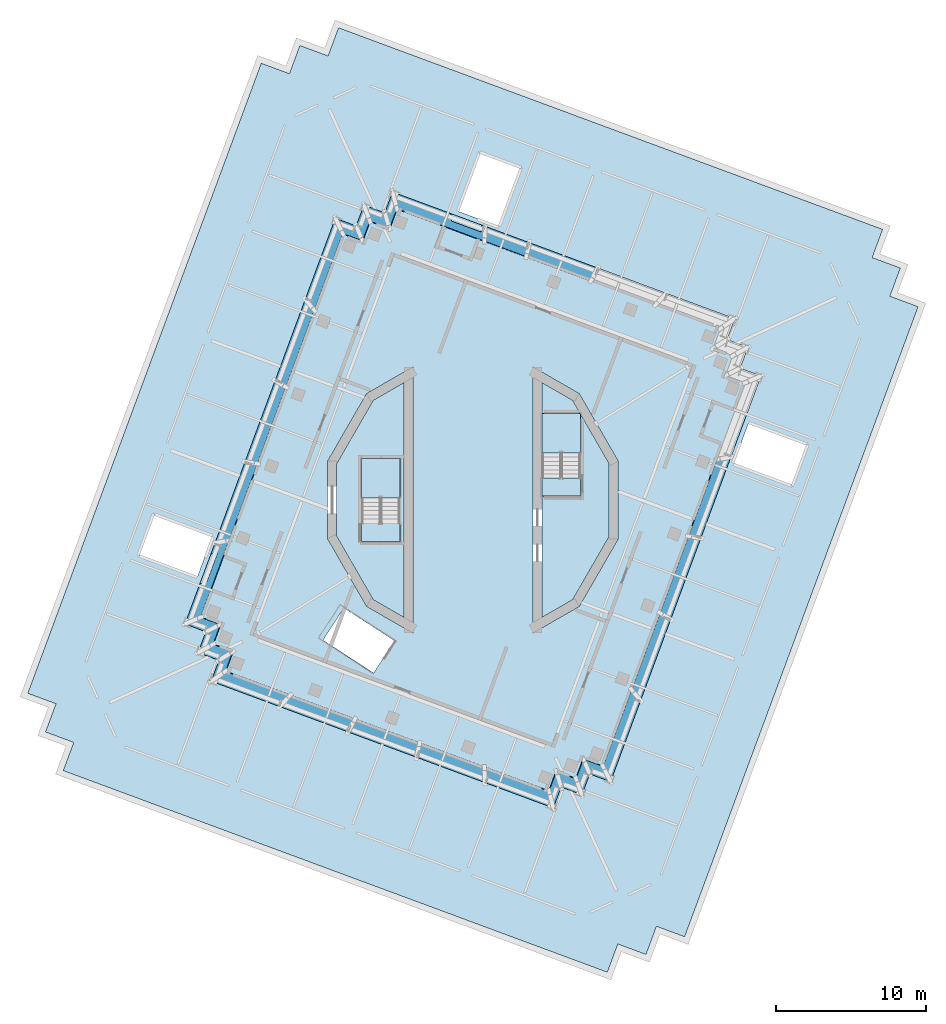
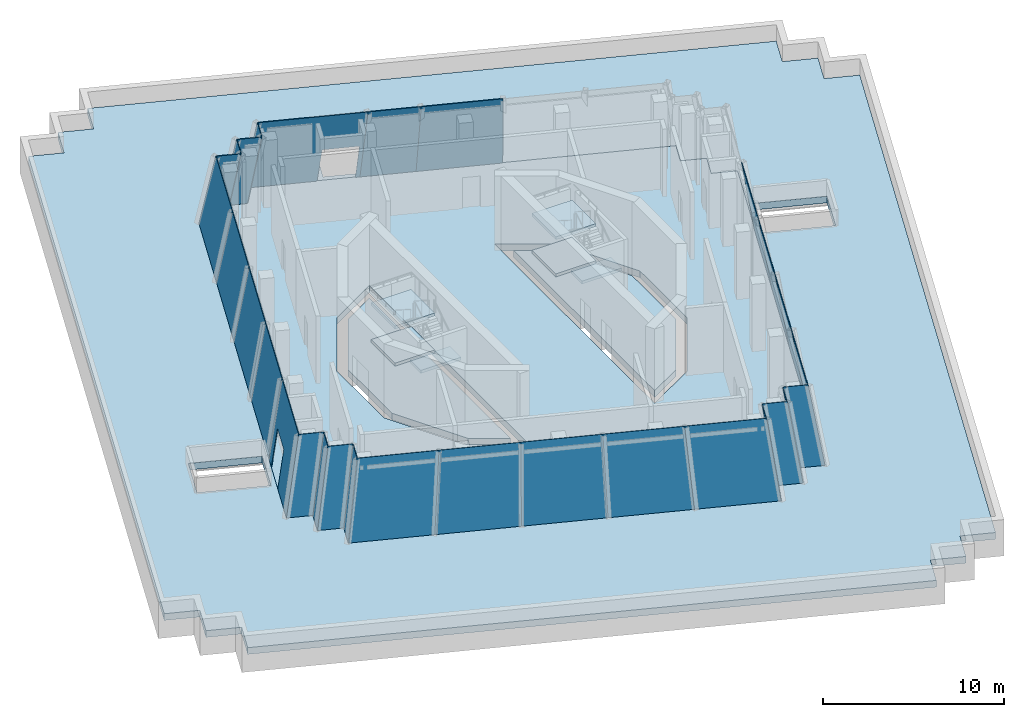
# One storey, part 4 of 12: 29 plates, 10 slabs, 31 elements without a shape of their own.
"""IFC4 building model written with IfcOpenShell, lengths in metres."""

from ifc_helpers import new_model, si_unit, direction, frame, origin, place, context, subcontext, project, spatial, polyline, outline, extrude, material, layer, layer_set, type_object, element, aggregate, save


model = new_model("IFC4")

# Units and contexts
model_context = context("Model", 3, precision=1e-05, world=origin(), true_north=direction((0.0, 1.0)))
body_context = subcontext(model_context, "Body", "Model", "MODEL_VIEW")
ifc_project = project(units=[si_unit("LENGTHUNIT", "METRE"), si_unit("AREAUNIT", "SQUARE_METRE"), si_unit("VOLUMEUNIT", "CUBIC_METRE"), si_unit("PLANEANGLEUNIT", "RADIAN"), si_unit("MASSUNIT", "GRAM", prefix="KILO")], contexts=[model_context])

# Site, building, storey
site_placement = place(None, origin())
site = spatial("IfcSite", under=ifc_project, at=site_placement, CompositionType="ELEMENT")
building_placement = place(site_placement, origin())
building = spatial("IfcBuilding", under=site, at=building_placement, Name="Cantera Rosa Tower", CompositionType="ELEMENT")
storey_placement = place(building_placement, frame((0.0, 0.0, 345.699951171875)))
storey = spatial("IfcBuildingStorey", under=building, at=storey_placement, Name="L78", CompositionType="ELEMENT", Elevation=345.699951171875)

# Curtain wall, plate
ifc_material_1 = material(Name="Aluminium frame with clear glass", Category="aluminium")
curtain_wall_type = type_object("IfcCurtainWallType", Name="CW4 CROWN GLAZING", PredefinedType="NOTDEFINED", material=ifc_material_1)
curtain_wall_1_placement = place(storey_placement, origin())
curtain_wall_1 = element("IfcCurtainWall", 1, at=curtain_wall_1_placement, inside=storey, type_object=curtain_wall_type, Name="CW4 L78-03", PredefinedType="NOTDEFINED")
ifc_material_2 = material(Name="Aluminium frame with clear glass", Category="aluminium")
ifc_layer_1 = layer(ifc_material_2, 0.0400390625)
ifc_layer_set_1 = layer_set([ifc_layer_1], Name="CW-PANEL CROWN 40")
plate_type = type_object("IfcPlateType", Name="CW-PANEL CROWN 40", PredefinedType="CURTAIN_PANEL", material=ifc_layer_set_1)
plate_1_placement = place(storey_placement, frame((8.305908203125, 15.42822265625, 0.0), z_axis=(0.341521188192, 0.921611881739, 0.184376835459), x_axis=(-0.937688102978, 0.34747808784, 2.281658e-06)))
plate_1 = element("IfcPlate", 2, at=plate_1_placement, type_object=plate_type, Name="CROWN GLAZING L78-03", PredefinedType="CURTAIN_PANEL", context=body_context, shape_type="SweptSolid", body=[
    extrude(outline(polyline([(0.0, 0.0), (4.8544728488537885, -5.551115123125783e-17), (4.723289027343986, 5.087206186000463), (0.1312182621244275, 5.087228115750634), (0.0, 0.0)])), origin(), (0.0, 0.0, -1.0), 0.0400390625),
])
aggregate(curtain_wall_1, [plate_1])

curtain_wall_2_placement = place(storey_placement, origin())
curtain_wall_2 = element("IfcCurtainWall", 3, at=curtain_wall_2_placement, inside=storey, type_object=curtain_wall_type, Name="CW4 L78-04", PredefinedType="NOTDEFINED")
plate_2_placement = place(storey_placement, frame((3.75390625, 17.114990234375, 0.0), z_axis=(0.341541678657, 0.921602371115, 0.184386418414), x_axis=(-0.937679562733, 0.347501133221, -6.597253e-06)))
plate_2 = element("IfcPlate", 4, at=plate_2_placement, type_object=plate_type, Name="CROWN GLAZING L78-04", PredefinedType="CURTAIN_PANEL", context=body_context, shape_type="SweptSolid", body=[
    extrude(outline(polyline([(0.0, 0.0), (3.14787560825237, 2.7755575615628914e-17), (2.8465199640344347, 5.0872455628957685), (-0.13125126681628493, 5.087204445448396), (0.0, 0.0)])), origin(), (0.0, 0.0, -1.0), 0.0400390625),
])
aggregate(curtain_wall_2, [plate_2])

curtain_wall_3_placement = place(storey_placement, origin())
curtain_wall_3 = element("IfcCurtainWall", 5, at=curtain_wall_3_placement, inside=storey, type_object=curtain_wall_type, Name="CW4 L78-05", PredefinedType="NOTDEFINED")
plate_3_placement = place(storey_placement, frame((0.80224609375, 18.208984375, 0.0), z_axis=(0.34151150555, 0.921610460325, 0.184401873626), x_axis=(-0.937698961077, 0.347448763728, 0.0001223896)))
plate_3 = element("IfcPlate", 6, at=plate_3_placement, type_object=plate_type, Name="CROWN GLAZING L78-05", PredefinedType="CURTAIN_PANEL", context=body_context, shape_type="SweptSolid", body=[
    extrude(outline(polyline([(0.0, 0.0), (0.24988655121026612, -1.734723475976807e-18), (0.09924261861630893, 2.4420248544270833), (2.1933972838054094, 2.441739173197979), (2.3999625369477173, -0.0002643486046061405), (6.560925946256958, -0.0008284535720060604), (5.905627100567783, 5.086515110806519), (-0.30065831574060037, 5.087286823995839), (0.0, 0.0)])), origin(), (0.0, 0.0, -1.0), 0.0400390625),
])
aggregate(curtain_wall_3, [plate_3])

curtain_wall_4_placement = place(storey_placement, origin())
curtain_wall_4 = element("IfcCurtainWall", 7, at=curtain_wall_4_placement, inside=storey, type_object=curtain_wall_type, Name="CW4 L78-06", PredefinedType="NOTDEFINED")
plate_4_placement = place(storey_placement, frame((-5.349853515625, 20.48876953125, 0.0), z_axis=(-0.929726260892, 0.344508040444, 0.130089545613), x_axis=(-0.347461743846, -0.937694159355, -8.690422e-06)))
plate_4 = element("IfcPlate", 8, at=plate_4_placement, type_object=plate_type, Name="CROWN GLAZING L78-06", PredefinedType="CURTAIN_PANEL", context=body_context, shape_type="SweptSolid", body=[
    extrude(outline(polyline([(0.0, 0.0), (1.480198532767373, 0.0), (2.338103272713795, 5.04287340089059), (0.9381703409287333, 5.042848156815825), (0.0, 0.0)])), origin(), (0.0, 0.0, -1.0), 0.0400390625),
])
aggregate(curtain_wall_4, [plate_4])

curtain_wall_5_placement = place(storey_placement, origin())
curtain_wall_5 = element("IfcCurtainWall", 9, at=curtain_wall_5_placement, inside=storey, type_object=curtain_wall_type, Name="CW4 L78-07", PredefinedType="NOTDEFINED")
plate_5_placement = place(storey_placement, frame((-5.8642578125, 19.100830078125, 0.0), z_axis=(0.342557008196, 0.924151967721, 0.169108949182), x_axis=(-0.937656539449, 0.347563251828, -2.626799e-06)))
plate_5 = element("IfcPlate", 10, at=plate_5_placement, type_object=plate_type, Name="CROWN GLAZING L78-07", PredefinedType="CURTAIN_PANEL", context=body_context, shape_type="SweptSolid", body=[
    extrude(outline(polyline([(0.0, 0.0), (1.479969614704795, -1.3877787807814457e-17), (0.7437886083870457, 5.073067499994802), (-0.6562291585835461, 5.073059824297987), (0.0, 0.0)])), origin(), (0.0, 0.0, -1.0), 0.0400390625),
])
aggregate(curtain_wall_5, [plate_5])

curtain_wall_6_placement = place(storey_placement, origin())
curtain_wall_6 = element("IfcCurtainWall", 11, at=curtain_wall_6_placement, inside=storey, type_object=curtain_wall_type, Name="CW4 L78-08", PredefinedType="NOTDEFINED")
plate_6_placement = place(storey_placement, frame((-7.251953125, 19.615234375, 0.0), z_axis=(-0.927655256386, 0.343855578264, 0.145667658033), x_axis=(-0.347563142788, -0.937656579868, -2.271258e-06)))
plate_6 = element("IfcPlate", 12, at=plate_6_placement, type_object=plate_type, Name="CROWN GLAZING L78-08", PredefinedType="CURTAIN_PANEL", context=body_context, shape_type="SweptSolid", body=[
    extrude(outline(polyline([(0.0, 0.0), (1.4799696147034385, 0.0), (2.2579302678734687, 5.053912277079162), (0.8579125008988817, 5.053905665360597), (0.0, 0.0)])), origin(), (0.0, 0.0, -1.0), 0.0400390625),
])
aggregate(curtain_wall_6, [plate_6])

curtain_wall_7_placement = place(storey_placement, origin())
curtain_wall_7 = element("IfcCurtainWall", 13, at=curtain_wall_7_placement, inside=storey, type_object=curtain_wall_type, Name="CW4 L78-09", PredefinedType="NOTDEFINED")
plate_7_placement = place(storey_placement, frame((-7.766357421875, 18.2275390625, 0.0), z_axis=(0.343357185478, 0.926536674451, 0.153738850254), x_axis=(-0.937684808633, 0.347486977564, 9.029276e-06)))
plate_7 = element("IfcPlate", 14, at=plate_7_placement, type_object=plate_type, Name="CROWN GLAZING L78-09", PredefinedType="CURTAIN_PANEL", context=body_context, shape_type="SweptSolid", body=[
    extrude(outline(polyline([(0.0, 0.0), (1.479884772222214, -1.3877787807814457e-17), (0.6639117113236955, 5.060151541659016), (-0.7361060529114105, 5.060177857954954), (0.0, 0.0)])), origin(), (0.0, 0.0, -1.0), 0.0400390625),
])
aggregate(curtain_wall_7, [plate_7])

curtain_wall_8_placement = place(storey_placement, origin())
curtain_wall_8 = element("IfcCurtainWall", 15, at=curtain_wall_8_placement, inside=storey, type_object=curtain_wall_type, Name="CW4 L78-10", PredefinedType="NOTDEFINED")
plate_8_placement = place(storey_placement, frame((-9.154052734375, 18.74169921875, 0.0), z_axis=(-0.925445495775, 0.342936820055, 0.161074429379), x_axis=(-0.347474130273, -0.937689569522, -5.56195e-07)))
plate_8 = element("IfcPlate", 16, at=plate_8_placement, type_object=plate_type, Name="CROWN GLAZING L78-10", PredefinedType="CURTAIN_PANEL", context=body_context, shape_type="SweptSolid", body=[
    extrude(outline(polyline([(0.0, 0.0), (5.757176461116128, 0.0), (6.223890937609147, 5.0661560002427555), (0.7778643972181067, 5.066149686632426), (0.0, 0.0)])), origin(), (0.0, 0.0, -1.0), 0.0400390625),
])
aggregate(curtain_wall_8, [plate_8])

curtain_wall_9_placement = place(storey_placement, origin())
curtain_wall_9 = element("IfcCurtainWall", 17, at=curtain_wall_9_placement, inside=storey, type_object=curtain_wall_type, Name="CW4 L78-11", PredefinedType="NOTDEFINED")
plate_9_placement = place(storey_placement, frame((-11.154541015625, 13.34326171875, 0.0), z_axis=(-0.925440483439, 0.34295647003, 0.161061389774), x_axis=(-0.347492793905, -0.937682653235, 2.692011e-06)))
plate_9 = element("IfcPlate", 18, at=plate_9_placement, type_object=plate_type, Name="CROWN GLAZING L78-11", PredefinedType="CURTAIN_PANEL", context=body_context, shape_type="SweptSolid", body=[
    extrude(outline(polyline([(0.0, 0.0), (5.757176460346277, -5.551115123125783e-17), (5.912825850868946, 5.066125441181644), (0.46671447487843387, 5.0661559995166385), (0.0, 0.0)])), origin(), (0.0, 0.0, -1.0), 0.0400390625),
])
aggregate(curtain_wall_9, [plate_9])

curtain_wall_10_placement = place(storey_placement, origin())
curtain_wall_10 = element("IfcCurtainWall", 19, at=curtain_wall_10_placement, inside=storey, type_object=curtain_wall_type, Name="CW4 L78-12", PredefinedType="NOTDEFINED")
plate_10_placement = place(storey_placement, frame((-13.155029296875, 7.94482421875, 0.0), z_axis=(-0.925449860646, 0.342938437519, 0.161045904957), x_axis=(-0.347474130243, -0.937689569533, -5.56099e-07)))
plate_10 = element("IfcPlate", 20, at=plate_10_placement, type_object=plate_type, Name="CROWN GLAZING L78-12", PredefinedType="CURTAIN_PANEL", context=body_context, shape_type="SweptSolid", body=[
    extrude(outline(polyline([(0.0, 0.0), (5.757176461116128, 5.551115123125783e-17), (5.601675929215902, 5.066131754600933), (0.1556493888248604, 5.066125442108671), (0.0, 0.0)])), origin(), (0.0, 0.0, -1.0), 0.0400390625),
])
aggregate(curtain_wall_10, [plate_10])

curtain_wall_11_placement = place(storey_placement, origin())
curtain_wall_11 = element("IfcCurtainWall", 21, at=curtain_wall_11_placement, inside=storey, type_object=curtain_wall_type, Name="CW4 L78-13", PredefinedType="NOTDEFINED")
plate_11_placement = place(storey_placement, frame((-15.155517578125, 2.54638671875, 0.0), z_axis=(-0.925448675464, 0.342937998333, 0.161053650628), x_axis=(-0.347474130251, -0.93768956953, -5.56125e-07)))
plate_11 = element("IfcPlate", 22, at=plate_11_placement, type_object=plate_type, Name="CROWN GLAZING L78-13", PredefinedType="CURTAIN_PANEL", context=body_context, shape_type="SweptSolid", body=[
    extrude(outline(polyline([(0.0, 0.0), (5.757176461116128, 0.0), (5.290526008353524, 5.066138067392587), (-0.15550053203751749, 5.066131754596719), (0.0, 0.0)])), origin(), (0.0, 0.0, -1.0), 0.0400390625),
])
aggregate(curtain_wall_11, [plate_11])

curtain_wall_12_placement = place(storey_placement, origin())
curtain_wall_12 = element("IfcCurtainWall", 23, at=curtain_wall_12_placement, inside=storey, type_object=curtain_wall_type, Name="CW4 L78-14", PredefinedType="NOTDEFINED")
plate_12_placement = place(storey_placement, frame((-17.156005859375, -2.85205078125, 0.0), z_axis=(-0.925432811178, 0.342965529203, 0.161086181201), x_axis=(-0.347505912923, -0.937677791299, -1.3744088e-05)))
plate_12 = element("IfcPlate", 24, at=plate_12_placement, type_object=plate_type, Name="CROWN GLAZING L78-14", PredefinedType="CURTAIN_PANEL", context=body_context, shape_type="SweptSolid", body=[
    extrude(outline(polyline([(0.0, 0.0), (0.7642018434379063, -6.938893903907228e-18), (0.5203667736493519, 2.4318772059122087), (2.614436621287368, 2.4319335431971223), (2.914277842971196, 4.52809042883473e-05), (5.757261298241943, 6.949186504406901e-05), (4.979282487583412, 5.066236375511841), (-0.4667440484662312, 5.066129442721497), (0.0, 0.0)])), origin(), (0.0, 0.0, -1.0), 0.0400390625),
])
aggregate(curtain_wall_12, [plate_12])

curtain_wall_13_placement = place(storey_placement, origin())
curtain_wall_13 = element("IfcCurtainWall", 25, at=curtain_wall_13_placement, inside=storey, type_object=curtain_wall_type, Name="CW4 L78-15", PredefinedType="NOTDEFINED")
plate_13_placement = place(storey_placement, frame((-19.15673828125, -8.25048828125, 0.0), z_axis=(-0.343329605416, -0.926546010031, 0.153744181486), x_axis=(0.937694002163, -0.347462168017, -1.0235499e-05)))
plate_13 = element("IfcPlate", 26, at=plate_13_placement, type_object=plate_type, Name="CROWN GLAZING L78-15", PredefinedType="CURTAIN_PANEL", context=body_context, shape_type="SweptSolid", body=[
    extrude(outline(polyline([(0.0, 0.0), (1.48019853278993, 0.0), (2.216100513591442, 5.060184812182457), (0.8161675818728275, 5.060154977889519), (0.0, 0.0)])), origin(), (0.0, 0.0, -1.0), 0.0400390625),
])
aggregate(curtain_wall_13, [plate_13])

curtain_wall_14_placement = place(storey_placement, origin())
curtain_wall_14 = element("IfcCurtainWall", 27, at=curtain_wall_14_placement, inside=storey, type_object=curtain_wall_type, Name="CW4 L78-16", PredefinedType="NOTDEFINED")
plate_14_placement = place(storey_placement, frame((-17.768798828125, -8.764892578125, 0.0), z_axis=(-0.927663218912, 0.343858529748, 0.14560997149), x_axis=(-0.347563142539, -0.93765657996, -2.270378e-06)))
plate_14 = element("IfcPlate", 28, at=plate_14_placement, type_object=plate_type, Name="CROWN GLAZING L78-16", PredefinedType="CURTAIN_PANEL", context=body_context, shape_type="SweptSolid", body=[
    extrude(outline(polyline([(0.0, 0.0), (1.4799696147034354, -1.3877787807814457e-17), (0.6218558231755967, 5.053865140676964), (-0.7781619437989995, 5.053858531576737), (0.0, 0.0)])), origin(), (0.0, 0.0, -1.0), 0.0400390625),
])
aggregate(curtain_wall_14, [plate_14])

curtain_wall_15_placement = place(storey_placement, origin())
curtain_wall_15 = element("IfcCurtainWall", 29, at=curtain_wall_15_placement, inside=storey, type_object=curtain_wall_type, Name="CW4 L78-17", PredefinedType="NOTDEFINED")
plate_15_placement = place(storey_placement, frame((-18.283203125, -10.152587890625, 0.0), z_axis=(-0.342527933807, -0.92415707409, 0.169139933106), x_axis=(0.937667055637, -0.347534879932, 2.018349e-06)))
plate_15 = element("IfcPlate", 30, at=plate_15_placement, type_object=plate_type, Name="CROWN GLAZING L78-17", PredefinedType="CURTAIN_PANEL", context=body_context, shape_type="SweptSolid", body=[
    extrude(outline(polyline([(0.0, 0.0), (1.4801985359648204, 1.3877787807814457e-17), (2.135969712104755, 5.07308850990189), (0.7359519450482302, 5.073094408165524), (0.0, 0.0)])), origin(), (0.0, 0.0, -1.0), 0.0400390625),
])
aggregate(curtain_wall_15, [plate_15])

curtain_wall_16_placement = place(storey_placement, origin())
curtain_wall_16 = element("IfcCurtainWall", 31, at=curtain_wall_16_placement, inside=storey, type_object=curtain_wall_type, Name="CW4 L78-18", PredefinedType="NOTDEFINED")
plate_16_placement = place(storey_placement, frame((-16.895263671875, -10.6669921875, 0.0), z_axis=(-0.929717977791, 0.344536117075, 0.130074385652), x_axis=(-0.347489805986, -0.937683760436, -1.2284197e-05)))
plate_16 = element("IfcPlate", 32, at=plate_16_placement, type_object=plate_type, Name="CROWN GLAZING L78-18", PredefinedType="CURTAIN_PANEL", context=body_context, shape_type="SweptSolid", body=[
    extrude(outline(polyline([(0.0, 0.0), (1.479969608283508, -1.3877787807814457e-17), (0.5418585880142708, 5.042849505307325), (-0.8580743400587485, 5.042813824886277), (0.0, 0.0)])), origin(), (0.0, 0.0, -1.0), 0.0400390625),
])
aggregate(curtain_wall_16, [plate_16])

curtain_wall_17_placement = place(storey_placement, origin())
curtain_wall_17 = element("IfcCurtainWall", 33, at=curtain_wall_17_placement, inside=storey, type_object=curtain_wall_type, Name="CW4 L78-19", PredefinedType="NOTDEFINED")
plate_17_placement = place(storey_placement, frame((-17.40966796875, -12.0546875, 0.0), z_axis=(-0.341520995596, -0.921611362009, 0.184379790061), x_axis=(0.937688102982, -0.347478087827, 2.281693e-06)))
plate_17 = element("IfcPlate", 34, at=plate_17_placement, type_object=plate_type, Name="CROWN GLAZING L78-19", PredefinedType="CURTAIN_PANEL", context=body_context, shape_type="SweptSolid", body=[
    extrude(outline(polyline([(0.0, 0.0), (4.8544728488537885, 0.0), (5.248178028319233, 5.087207836162462), (0.6561072630996764, 5.087229766264052), (0.0, 0.0)])), origin(), (0.0, 0.0, -1.0), 0.0400390625),
])
aggregate(curtain_wall_17, [plate_17])

curtain_wall_18_placement = place(storey_placement, origin())
curtain_wall_18 = element("IfcCurtainWall", 35, at=curtain_wall_18_placement, inside=storey, type_object=curtain_wall_type, Name="CW4 L78-20", PredefinedType="NOTDEFINED")
plate_18_placement = place(storey_placement, frame((-12.857666015625, -13.741455078125, 0.0), z_axis=(-0.341515330439, -0.921613819424, 0.184378000104), x_axis=(0.937690002367, -0.347472962195, -2.022083e-06)))
plate_18 = element("IfcPlate", 36, at=plate_18_placement, type_object=plate_type, Name="CROWN GLAZING L78-20", PredefinedType="CURTAIN_PANEL", context=body_context, shape_type="SweptSolid", body=[
    extrude(outline(polyline([(0.0, 0.0), (4.854243920883489, 0.0), (4.985445791790336, 5.087228538589944), (0.3936887874710647, 5.087209104808349), (0.0, 0.0)])), origin(), (0.0, 0.0, -1.0), 0.0400390625),
])
aggregate(curtain_wall_18, [plate_18])

curtain_wall_19_placement = place(storey_placement, origin())
curtain_wall_19 = element("IfcCurtainWall", 37, at=curtain_wall_19_placement, inside=storey, type_object=curtain_wall_type, Name="CW4 L78-21", PredefinedType="NOTDEFINED")
plate_19_placement = place(storey_placement, frame((-8.305908203125, -15.42822265625, 0.0), z_axis=(-0.341521188192, -0.921611881739, 0.184376835459), x_axis=(0.937688102978, -0.34747808784, 2.281658e-06)))
plate_19 = element("IfcPlate", 38, at=plate_19_placement, type_object=plate_type, Name="CROWN GLAZING L78-21", PredefinedType="CURTAIN_PANEL", context=body_context, shape_type="SweptSolid", body=[
    extrude(outline(polyline([(0.0, 0.0), (4.8544728488537885, -5.551115123125783e-17), (4.723289027343986, 5.087206186000463), (0.1312182621244275, 5.087228115750634), (0.0, 0.0)])), origin(), (0.0, 0.0, -1.0), 0.0400390625),
])
aggregate(curtain_wall_19, [plate_19])

curtain_wall_20_placement = place(storey_placement, origin())
curtain_wall_20 = element("IfcCurtainWall", 39, at=curtain_wall_20_placement, inside=storey, type_object=curtain_wall_type, Name="CW4 L78-22", PredefinedType="NOTDEFINED")
plate_20_placement = place(storey_placement, frame((-3.75390625, -17.114990234375, 0.0), z_axis=(-0.341543697284, -0.92160407741, 0.184374150429), x_axis=(0.937679411188, -0.347501542198, -1.872452e-06)))
plate_20 = element("IfcPlate", 40, at=plate_20_placement, type_object=plate_type, Name="CROWN GLAZING L78-22", PredefinedType="CURTAIN_PANEL", context=body_context, shape_type="SweptSolid", body=[
    extrude(outline(polyline([(0.0, 0.0), (4.854557685106132, 5.551115123125783e-17), (4.4608427134826325, 5.087223042250598), (-0.13122805188231357, 5.087205045354935), (0.0, 0.0)])), origin(), (0.0, 0.0, -1.0), 0.0400390625),
])
aggregate(curtain_wall_20, [plate_20])

curtain_wall_21_placement = place(storey_placement, origin())
curtain_wall_21 = element("IfcCurtainWall", 41, at=curtain_wall_21_placement, inside=storey, type_object=curtain_wall_type, Name="CW4 L78-23", PredefinedType="NOTDEFINED")
plate_21_placement = place(storey_placement, frame((0.798095703125, -18.802001953125, 0.0), z_axis=(-0.341505281366, -0.921612103038, 0.184405190637), x_axis=(0.937693016668, -0.347464827687, -3.650027e-06)))
plate_21 = element("IfcPlate", 42, at=plate_21_placement, type_object=plate_type, Name="CROWN GLAZING L78-23", PredefinedType="CURTAIN_PANEL", context=body_context, shape_type="SweptSolid", body=[
    extrude(outline(polyline([(0.0, 0.0), (4.8542439202245085, 1.1102230246251565e-16), (4.198298801207125, 5.087260276679603), (-0.393687132362311, 5.087225196066816), (0.0, 0.0)])), origin(), (0.0, 0.0, -1.0), 0.0400390625),
])
aggregate(curtain_wall_21, [plate_21])

curtain_wall_22_placement = place(storey_placement, origin())
curtain_wall_22 = element("IfcCurtainWall", 43, at=curtain_wall_22_placement, inside=storey, type_object=curtain_wall_type, Name="CW4 L78-24", PredefinedType="NOTDEFINED")
plate_22_placement = place(storey_placement, frame((5.349853515625, -20.48876953125, 0.0), z_axis=(0.929726260892, -0.344508040444, 0.130089545613), x_axis=(0.347461743846, 0.937694159355, -8.690422e-06)))
plate_22 = element("IfcPlate", 44, at=plate_22_placement, type_object=plate_type, Name="CROWN GLAZING L78-24", PredefinedType="CURTAIN_PANEL", context=body_context, shape_type="SweptSolid", body=[
    extrude(outline(polyline([(0.0, 0.0), (1.480198532767373, 0.0), (2.338103272713795, 5.04287340089059), (0.9381703409287333, 5.042848156815825), (0.0, 0.0)])), origin(), (0.0, 0.0, -1.0), 0.0400390625),
])
aggregate(curtain_wall_22, [plate_22])

curtain_wall_23_placement = place(storey_placement, origin())
curtain_wall_23 = element("IfcCurtainWall", 45, at=curtain_wall_23_placement, inside=storey, type_object=curtain_wall_type, Name="CW4 L78-25", PredefinedType="NOTDEFINED")
plate_23_placement = place(storey_placement, frame((5.8642578125, -19.100830078125, 0.0), z_axis=(-0.342557008196, -0.924151967721, 0.169108949182), x_axis=(0.937656539449, -0.347563251828, -2.626799e-06)))
plate_23 = element("IfcPlate", 46, at=plate_23_placement, type_object=plate_type, Name="CROWN GLAZING L78-25", PredefinedType="CURTAIN_PANEL", context=body_context, shape_type="SweptSolid", body=[
    extrude(outline(polyline([(0.0, 0.0), (1.479969614704795, -1.3877787807814457e-17), (0.7437886083870457, 5.073067499994802), (-0.6562291585835461, 5.073059824297987), (0.0, 0.0)])), origin(), (0.0, 0.0, -1.0), 0.0400390625),
])
aggregate(curtain_wall_23, [plate_23])

curtain_wall_24_placement = place(storey_placement, origin())
curtain_wall_24 = element("IfcCurtainWall", 47, at=curtain_wall_24_placement, inside=storey, type_object=curtain_wall_type, Name="CW4 L78-26", PredefinedType="NOTDEFINED")
plate_24_placement = place(storey_placement, frame((7.251953125, -19.615234375, 0.0), z_axis=(0.927655256386, -0.343855578264, 0.145667658033), x_axis=(0.347563142788, 0.937656579868, -2.271258e-06)))
plate_24 = element("IfcPlate", 48, at=plate_24_placement, type_object=plate_type, Name="CROWN GLAZING L78-26", PredefinedType="CURTAIN_PANEL", context=body_context, shape_type="SweptSolid", body=[
    extrude(outline(polyline([(0.0, 0.0), (1.4799696147034385, 0.0), (2.2579302678734687, 5.053912277079162), (0.8579125008988817, 5.053905665360597), (0.0, 0.0)])), origin(), (0.0, 0.0, -1.0), 0.0400390625),
])
aggregate(curtain_wall_24, [plate_24])

curtain_wall_25_placement = place(storey_placement, origin())
curtain_wall_25 = element("IfcCurtainWall", 49, at=curtain_wall_25_placement, inside=storey, type_object=curtain_wall_type, Name="CW4 L78-27", PredefinedType="NOTDEFINED")
plate_25_placement = place(storey_placement, frame((7.766357421875, -18.2275390625, 0.0), z_axis=(-0.343357185478, -0.926536674451, 0.153738850254), x_axis=(0.937684808633, -0.347486977564, 9.029276e-06)))
plate_25 = element("IfcPlate", 50, at=plate_25_placement, type_object=plate_type, Name="CROWN GLAZING L78-27", PredefinedType="CURTAIN_PANEL", context=body_context, shape_type="SweptSolid", body=[
    extrude(outline(polyline([(0.0, 0.0), (1.479884772222214, -1.3877787807814457e-17), (0.6639117113236955, 5.060151541659016), (-0.7361060529114105, 5.060177857954954), (0.0, 0.0)])), origin(), (0.0, 0.0, -1.0), 0.0400390625),
])
aggregate(curtain_wall_25, [plate_25])

curtain_wall_26_placement = place(storey_placement, origin())
curtain_wall_26 = element("IfcCurtainWall", 51, at=curtain_wall_26_placement, inside=storey, type_object=curtain_wall_type, Name="CW4 L78-28", PredefinedType="NOTDEFINED")
plate_26_placement = place(storey_placement, frame((9.154052734375, -18.74169921875, 0.0), z_axis=(0.925445495775, -0.342936820055, 0.161074429379), x_axis=(0.347474130273, 0.937689569522, -5.56195e-07)))
plate_26 = element("IfcPlate", 52, at=plate_26_placement, type_object=plate_type, Name="CROWN GLAZING L78-28", PredefinedType="CURTAIN_PANEL", context=body_context, shape_type="SweptSolid", body=[
    extrude(outline(polyline([(0.0, 0.0), (5.757176461116128, 0.0), (6.223890937609147, 5.0661560002427555), (0.7778643972181067, 5.066149686632426), (0.0, 0.0)])), origin(), (0.0, 0.0, -1.0), 0.0400390625),
])
aggregate(curtain_wall_26, [plate_26])

curtain_wall_27_placement = place(storey_placement, origin())
curtain_wall_27 = element("IfcCurtainWall", 53, at=curtain_wall_27_placement, inside=storey, type_object=curtain_wall_type, Name="CW4 L78-29", PredefinedType="NOTDEFINED")
plate_27_placement = place(storey_placement, frame((11.154541015625, -13.34326171875, 0.0), z_axis=(0.925440483439, -0.34295647003, 0.161061389774), x_axis=(0.347492793905, 0.937682653235, 2.692011e-06)))
plate_27 = element("IfcPlate", 54, at=plate_27_placement, type_object=plate_type, Name="CROWN GLAZING L78-29", PredefinedType="CURTAIN_PANEL", context=body_context, shape_type="SweptSolid", body=[
    extrude(outline(polyline([(0.0, 0.0), (5.757176460346277, -5.551115123125783e-17), (5.912825850868946, 5.066125441181644), (0.46671447487843387, 5.0661559995166385), (0.0, 0.0)])), origin(), (0.0, 0.0, -1.0), 0.0400390625),
])
aggregate(curtain_wall_27, [plate_27])

curtain_wall_28_placement = place(storey_placement, origin())
curtain_wall_28 = element("IfcCurtainWall", 55, at=curtain_wall_28_placement, inside=storey, type_object=curtain_wall_type, Name="CW4 L78-30", PredefinedType="NOTDEFINED")
plate_28_placement = place(storey_placement, frame((13.155029296875, -7.94482421875, 0.0), z_axis=(0.925449860646, -0.342938437519, 0.161045904957), x_axis=(0.347474130243, 0.937689569533, -5.56099e-07)))
plate_28 = element("IfcPlate", 56, at=plate_28_placement, type_object=plate_type, Name="CROWN GLAZING L78-30", PredefinedType="CURTAIN_PANEL", context=body_context, shape_type="SweptSolid", body=[
    extrude(outline(polyline([(0.0, 0.0), (5.757176461116128, 5.551115123125783e-17), (5.601675929215902, 5.066131754600933), (0.1556493888248604, 5.066125442108671), (0.0, 0.0)])), origin(), (0.0, 0.0, -1.0), 0.0400390625),
])
aggregate(curtain_wall_28, [plate_28])

curtain_wall_29_placement = place(storey_placement, origin())
curtain_wall_29 = element("IfcCurtainWall", 57, at=curtain_wall_29_placement, inside=storey, type_object=curtain_wall_type, Name="CW4 L78-31", PredefinedType="NOTDEFINED")
plate_29_placement = place(storey_placement, frame((15.155517578125, -2.54638671875, 0.0), z_axis=(0.925448675464, -0.342937998333, 0.161053650628), x_axis=(0.347474130251, 0.93768956953, -5.56125e-07)))
plate_29 = element("IfcPlate", 58, at=plate_29_placement, type_object=plate_type, Name="CROWN GLAZING L78-31", PredefinedType="CURTAIN_PANEL", context=body_context, shape_type="SweptSolid", body=[
    extrude(outline(polyline([(0.0, 0.0), (5.757176461116128, 0.0), (5.290526008353524, 5.066138067392587), (-0.15550053203751749, 5.066131754596719), (0.0, 0.0)])), origin(), (0.0, 0.0, -1.0), 0.0400390625),
])
aggregate(curtain_wall_29, [plate_29])

# Slabs
ifc_material_3 = material(Name="Concrete C50/60", Category="concrete")
ifc_layer_2 = layer(ifc_material_3, 0.449951171875)
ifc_layer_set_2 = layer_set([ifc_layer_2], Name="RC CANOPY ROOF SLAB WITH FALLS AND MEMBRANE 450 C50/60")
slab_type_1 = type_object("IfcSlabType", Name="RC CANOPY ROOF SLAB WITH FALLS AND MEMBRANE 450 C50/60", PredefinedType="ROOF", material=ifc_layer_set_2)
slab_1_placement = place(storey_placement, frame((0.0, 0.0, -0.449951171875)))
element("IfcSlab", 59, at=slab_1_placement, inside=storey, type_object=slab_type_1, Name="CANOPY ROOF SLAB L78 1", PredefinedType="ROOF", context=body_context, shape_type="SweptSolid", body=[
    extrude(outline(polyline([(-12.20654296875, 28.358642578125), (-11.51171875, 30.23388671875), (-9.63623046875, 29.5390625), (-8.941162109375, 31.414306640625), (27.25341796875, 18.001708984375), (26.55859375, 16.126220703125), (28.433837890625, 15.431396484375), (27.739013671875, 13.555908203125), (29.6142578125, 12.861083984375), (14.081787109375, -29.0537109375), (12.20654296875, -28.358642578125), (11.51171875, -30.23388671875), (9.63623046875, -29.5390625), (8.941162109375, -31.414306640625), (-27.25341796875, -18.001708984375), (-26.55859375, -16.126220703125), (-28.433837890625, -15.431396484375), (-27.739013671875, -13.555908203125), (-29.6142578125, -12.861083984375), (-14.081787109375, 29.0537109375), (-12.20654296875, 28.358642578125)]), holes=[polyline([(-7.251953125, 19.615234375), (-7.76611328125, 18.227294921875), (-9.154052734375, 18.74169921875), (-19.156494140625, -8.25048828125), (-17.768798828125, -8.764892578125), (-18.283203125, -10.152587890625), (-16.895263671875, -10.6669921875), (-17.40966796875, -12.0546875), (5.349853515625, -20.48876953125), (5.8642578125, -19.100830078125), (7.251953125, -19.615234375), (7.76611328125, -18.227294921875), (9.154052734375, -18.74169921875), (19.156494140625, 8.25048828125), (17.768798828125, 8.764892578125), (18.283203125, 10.152587890625), (16.895263671875, 10.6669921875), (17.40966796875, 12.0546875), (-5.349853515625, 20.48876953125), (-5.8642578125, 19.100830078125), (-7.251953125, 19.615234375)]), polyline([(-22.206298828125, -3.662109375), (-18.325927734375, -5.099853515625), (-17.335693359375, -2.427490234375), (-21.2158203125, -0.989501953125), (-22.206298828125, -3.662109375)]), polyline([(22.206298828125, 3.662109375), (18.325927734375, 5.099853515625), (17.335693359375, 2.427490234375), (21.2158203125, 0.989501953125), (22.206298828125, 3.662109375)]), polyline([(0.47216796875, 23.07373046875), (-0.9658203125, 19.193603515625), (1.70654296875, 18.203369140625), (3.14453125, 22.08349609375), (0.47216796875, 23.07373046875)])]), origin(), (0.0, 0.0, 1.0), 0.449951171875),
])
ifc_material_4 = material(Name="Concrete C50/60", Category="concrete")
ifc_layer_3 = layer(ifc_material_4, 0.449951171875)
ifc_layer_set_3 = layer_set([ifc_layer_3], Name="RC CROWN PLATE 450 C50/60")
slab_type_2 = type_object("IfcSlabType", Name="RC CROWN PLATE 450 C50/60", PredefinedType="FLOOR", material=ifc_layer_set_3)
slab_2_placement = place(storey_placement, frame((0.0, 0.0, -0.449951171875)))
element("IfcSlab", 60, at=slab_2_placement, inside=storey, type_object=slab_type_2, Name="SLAB L78 floor 1", PredefinedType="FLOOR", context=body_context, shape_type="SweptSolid", body=[
    extrude(outline(polyline([(-4.60009765625, 7.804931640625), (-4.60009765625, -7.804931640625), (-6.6318359375, -6.6318359375), (-9.059326171875, -2.427490234375), (-9.059326171875, 2.427490234375), (-6.6318359375, 6.6318359375), (-4.60009765625, 7.804931640625)])), origin(), (0.0, 0.0, 1.0), 0.449951171875),
])
slab_3_placement = place(storey_placement, frame((0.0, 0.0, -0.449951171875)))
element("IfcSlab", 61, at=slab_3_placement, inside=storey, type_object=slab_type_2, Name="SLAB L78 floor 2", PredefinedType="FLOOR", context=body_context, shape_type="SweptSolid", body=[
    extrude(outline(polyline([(18.283203125, 10.152587890625), (17.768798828125, 8.764892578125), (19.156494140625, 8.25048828125), (9.154052734375, -18.74169921875), (7.76611328125, -18.227294921875), (7.251953125, -19.615234375), (5.8642578125, -19.100830078125), (5.349853515625, -20.48876953125), (-17.40966796875, -12.0546875), (-16.895263671875, -10.6669921875), (-18.283203125, -10.152587890625), (-17.768798828125, -8.764892578125), (-19.156494140625, -8.25048828125), (-9.154052734375, 18.74169921875), (-7.76611328125, 18.227294921875), (-7.251953125, 19.615234375), (-5.8642578125, 19.100830078125), (-5.349853515625, 20.48876953125), (17.40966796875, 12.0546875), (16.895263671875, 10.6669921875), (18.283203125, 10.152587890625)]), holes=[polyline([(-9.97021484375, -9.3212890625), (-6.6044921875, -11.507080078125), (-5.2158203125, -9.368408203125), (-8.581298828125, -7.1826171875), (-9.97021484375, -9.3212890625)]), polyline([(-9.6591796875, 2.588134765625), (-9.6591796875, -2.588134765625), (-7.071044921875, -7.071044921875), (-4.0, -8.843994140625), (-4.0, 8.843994140625), (-7.071044921875, 7.071044921875), (-9.6591796875, 2.588134765625)]), polyline([(9.6591796875, 2.588134765625), (7.071044921875, 7.071044921875), (4.0, 8.843994140625), (4.0, -8.843994140625), (7.071044921875, -7.071044921875), (9.6591796875, -2.588134765625), (9.6591796875, 2.588134765625)])]), origin(), (0.0, 0.0, 1.0), 0.449951171875),
])
slab_4_placement = place(storey_placement, frame((0.0, 0.0, -0.449951171875)))
element("IfcSlab", 62, at=slab_4_placement, inside=storey, type_object=slab_type_2, Name="SLAB L78 floor 3", PredefinedType="FLOOR", context=body_context, shape_type="SweptSolid", body=[
    extrude(outline(polyline([(4.60009765625, 7.804931640625), (6.6318359375, 6.6318359375), (9.059326171875, 2.427490234375), (9.059326171875, -2.427490234375), (6.6318359375, -6.6318359375), (4.60009765625, -7.804931640625), (4.60009765625, 7.804931640625)])), origin(), (0.0, 0.0, 1.0), 0.449951171875),
])

# Stair, slabs
ifc_material_5 = material(Name="Concrete C35/45", Category="concrete")
stair_type = type_object("IfcStairType", Name="EXIT STAIR 1200 DOGLEG", PredefinedType="HALF_TURN_STAIR", material=ifc_material_5)
stair_1_placement = place(storey_placement, origin())
stair_1 = element("IfcStair", 63, at=stair_1_placement, inside=storey, type_object=stair_type, Name="L78 ST-71", PredefinedType="HALF_TURN_STAIR")
ifc_material_6 = material(Name="Concrete C35/45", Category="concrete")
ifc_layer_4 = layer(ifc_material_6, 0.199951171875)
ifc_layer_set_4 = layer_set([ifc_layer_4], Name="STAIR LANDING 200")
slab_type_3 = type_object("IfcSlabType", Name="STAIR LANDING 200", PredefinedType="LANDING", material=ifc_layer_set_4)
slab_5_placement = place(storey_placement, frame((0.0, 0.0, 1.050048828125)))
slab_5 = element("IfcSlab", 64, at=slab_5_placement, type_object=slab_type_3, Name="ST-71 landing 1", PredefinedType="LANDING", context=body_context, shape_type="SweptSolid", body=[
    extrude(outline(polyline([(-4.85009765625, 0.117919921875), (-4.85009765625, 2.75), (-7.39990234375, 2.75), (-7.39990234375, 0.117919921875), (-4.85009765625, 0.117919921875)])), origin(), (0.0, 0.0, 1.0), 0.199951171875),
])
slab_6_placement = place(storey_placement, frame((0.0, 0.0, 2.300048828125)))
slab_6 = element("IfcSlab", 65, at=slab_6_placement, type_object=slab_type_3, Name="ST-71 landing 2", PredefinedType="LANDING", context=body_context, shape_type="SweptSolid", body=[
    extrude(outline(polyline([(-4.85009765625, -2.75), (-4.85009765625, -1.5380859375), (-7.39990234375, -1.5380859375), (-7.39990234375, -2.75), (-4.85009765625, -2.75)])), origin(), (0.0, 0.0, 1.0), 0.199951171875),
])
slab_7_placement = place(storey_placement, frame((0.0, 0.0, 3.550048828125)))
slab_7 = element("IfcSlab", 66, at=slab_7_placement, type_object=slab_type_3, Name="ST-71 landing 3", PredefinedType="LANDING", context=body_context, shape_type="SweptSolid", body=[
    extrude(outline(polyline([(-4.85009765625, 0.117919921875), (-4.85009765625, 2.75), (-7.39990234375, 2.75), (-7.39990234375, 0.117919921875), (-4.85009765625, 0.117919921875)])), origin(), (0.0, 0.0, 1.0), 0.199951171875),
])
aggregate(stair_1, [slab_5, slab_6, slab_7])

stair_2_placement = place(storey_placement, origin())
stair_2 = element("IfcStair", 67, at=stair_2_placement, inside=storey, type_object=stair_type, Name="L78 ST-72", PredefinedType="HALF_TURN_STAIR")
slab_8_placement = place(storey_placement, frame((0.0, 0.0, 1.050048828125)))
slab_8 = element("IfcSlab", 68, at=slab_8_placement, type_object=slab_type_3, Name="ST-72 landing 1", PredefinedType="LANDING", context=body_context, shape_type="SweptSolid", body=[
    extrude(outline(polyline([(7.14990234375, 3.117919921875), (7.14990234375, 5.75), (4.60009765625, 5.75), (4.60009765625, 3.117919921875), (7.14990234375, 3.117919921875)])), origin(), (0.0, 0.0, 1.0), 0.199951171875),
])
slab_9_placement = place(storey_placement, frame((0.0, 0.0, 2.300048828125)))
slab_9 = element("IfcSlab", 69, at=slab_9_placement, type_object=slab_type_3, Name="ST-72 landing 2", PredefinedType="LANDING", context=body_context, shape_type="SweptSolid", body=[
    extrude(outline(polyline([(7.14990234375, 0.25), (7.14990234375, 1.4619140625), (4.60009765625, 1.4619140625), (4.60009765625, 0.25), (7.14990234375, 0.25)])), origin(), (0.0, 0.0, 1.0), 0.199951171875),
])
slab_10_placement = place(storey_placement, frame((0.0, 0.0, 3.550048828125)))
slab_10 = element("IfcSlab", 70, at=slab_10_placement, type_object=slab_type_3, Name="ST-72 landing 3", PredefinedType="LANDING", context=body_context, shape_type="SweptSolid", body=[
    extrude(outline(polyline([(7.14990234375, 3.117919921875), (7.14990234375, 5.75), (4.60009765625, 5.75), (4.60009765625, 3.117919921875), (7.14990234375, 3.117919921875)])), origin(), (0.0, 0.0, 1.0), 0.199951171875),
])
aggregate(stair_2, [slab_8, slab_9, slab_10])

save(model, "model.ifc")
